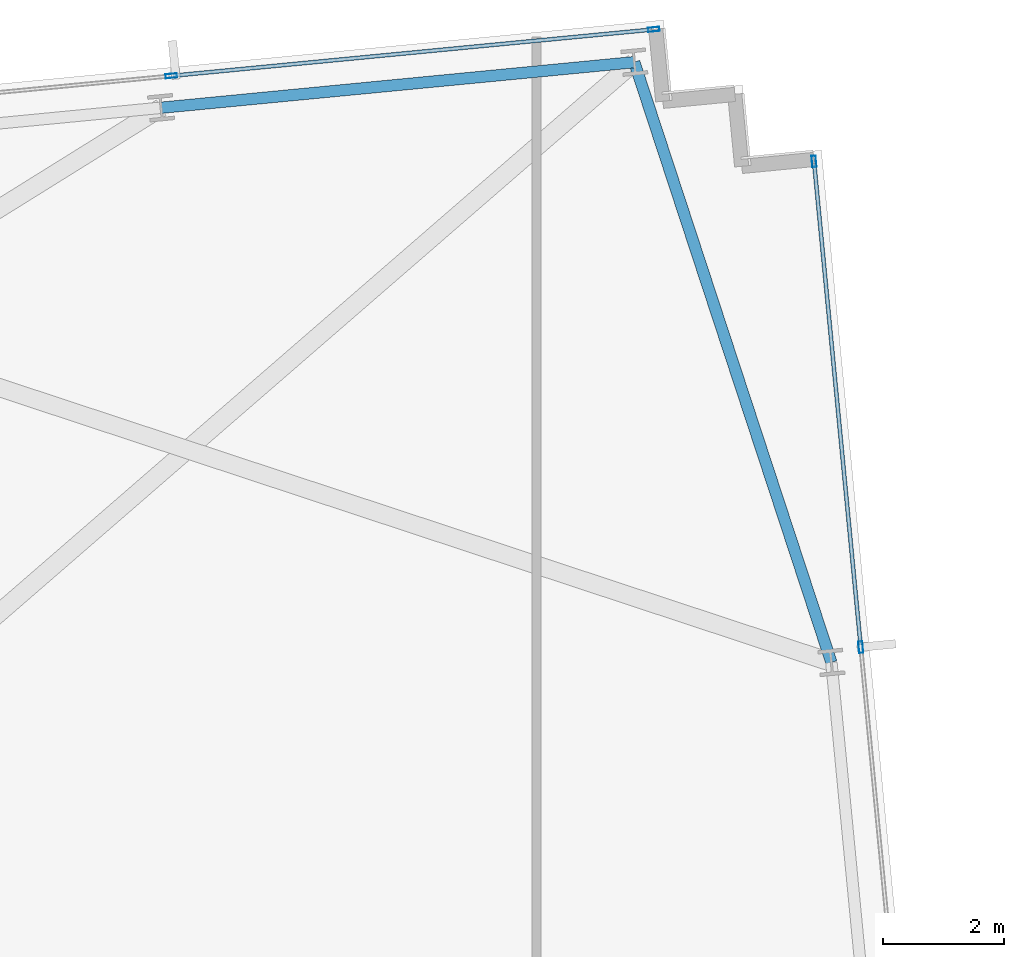
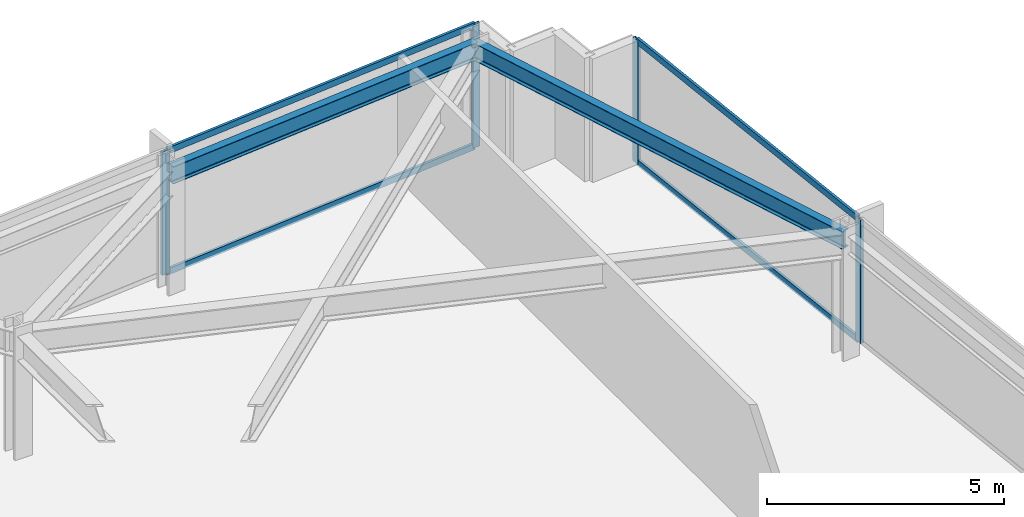
# One storey, part 23 of 33: 8 members, 2 beams, 2 elements without a shape of their own.
"""IFC4 building model written with IfcOpenShell, lengths in metres."""

from ifc_helpers import new_model, si_unit, direction, frame, origin, origin_2d, place, context, subcontext, project, spatial, hollow_rectangle, i_section, extrude, material, material_profile, profile_set, type_object, element, aggregate, save


model = new_model("IFC4")

# Units and contexts
model_context = context("Model", 3, precision=1e-05, world=origin(), true_north=direction((0.0, 1.0)))
body_context = subcontext(model_context, "Body", "Model", "MODEL_VIEW")
ifc_project = project(units=[si_unit("LENGTHUNIT", "METRE"), si_unit("AREAUNIT", "SQUARE_METRE"), si_unit("VOLUMEUNIT", "CUBIC_METRE"), si_unit("PLANEANGLEUNIT", "RADIAN"), si_unit("MASSUNIT", "GRAM", prefix="KILO")], contexts=[model_context])

# Site, building, storey
site_placement = place(None, origin())
site = spatial("IfcSite", under=ifc_project, at=site_placement, CompositionType="ELEMENT")
building_placement = place(site_placement, origin())
building = spatial("IfcBuilding", under=site, at=building_placement, Name="Yelkora Congress Tower", CompositionType="ELEMENT")
storey_placement = place(building_placement, frame((0.0, 0.0, 110.10009765625)))
storey = spatial("IfcBuildingStorey", under=building, at=storey_placement, Name="L29", CompositionType="ELEMENT", Elevation=110.10009765625)

# Beams
ifc_material_1 = material(Name="Steel S355J2", Category="steel")
ifc_material_profile_1 = material_profile(ifc_material_1, i_section(OverallWidth=0.18994140625, OverallDepth=0.449951171875, WebThickness=0.009521484375, FlangeThickness=0.0146484375, FilletRadius=0.02099609375, at=origin_2d()), Name="IPE 450")
ifc_profile_set_1 = profile_set([ifc_material_profile_1], Name="Steel S355J2")
beam_type = type_object("IfcBeamType", Name="BM-SPAN-IPE450", PredefinedType="SPANDREL", material=ifc_profile_set_1)
beam_1_placement = place(storey_placement, frame((74.522216796875, 40.610595703125, 2.954833984375), z_axis=(-0.311961656523, 0.950094692575, 0.0), x_axis=(-0.950094692575, -0.311961656523, 0.0)))
element("IfcBeam", 1, at=beam_1_placement, inside=storey, type_object=beam_type, Name="L29 Perimeter Beam 13", PredefinedType="SPANDREL", context=body_context, shape_type="SweptSolid", body=[
    extrude(i_section(OverallWidth=0.18994140625, OverallDepth=0.449951171875, WebThickness=0.009521484375, FlangeThickness=0.0146484375, FilletRadius=0.02099609375, at=origin_2d()), origin(), (0.0, 0.0, 1.0), 10.48046875),
])
beam_2_placement = place(storey_placement, frame((71.252685546875, 50.568115234375, 2.954833984375), z_axis=(-0.995392621281, -0.095882894719, 0.0), x_axis=(0.095882894719, -0.995392621281, 0.0)))
element("IfcBeam", 2, at=beam_2_placement, inside=storey, type_object=beam_type, Name="L29 Perimeter Beam 14", PredefinedType="SPANDREL", context=body_context, shape_type="SweptSolid", body=[
    extrude(i_section(OverallWidth=0.18994140625, OverallDepth=0.449951171875, WebThickness=0.009521484375, FlangeThickness=0.0146484375, FilletRadius=0.02099609375, at=origin_2d()), origin(), (0.0, 0.0, 1.0), 7.8857421875),
])

# Curtain wall, members
ifc_material_2 = material(Name="Anodised aluminium and insulated glass", Category="aluminium")
curtain_wall_type = type_object("IfcCurtainWallType", Name="CW-SYS-B2", PredefinedType="NOTDEFINED", material=ifc_material_2)
curtain_wall_1_placement = place(storey_placement, origin())
curtain_wall_1 = element("IfcCurtainWall", 3, at=curtain_wall_1_placement, inside=storey, type_object=curtain_wall_type, Name="L29 Unitised Curtain Wall 10 (3)", PredefinedType="NOTDEFINED")
ifc_material_3 = material(Name="Anodised aluminium 6063-T6", Category="aluminium")
ifc_material_profile_2 = material_profile(ifc_material_3, hollow_rectangle(XDim=0.070068359375, YDim=0.18994140625, WallThickness=0.00390625, at=origin_2d()), Name="ALU 70x190x4")
ifc_profile_set_2 = profile_set([ifc_material_profile_2], Name="Anodised aluminium 6063-T6")
member_type_1 = type_object("IfcMemberType", Name="MEM-ML-B2", PredefinedType="MULLION", material=ifc_profile_set_2)
member_1_placement = place(storey_placement, frame((63.572021484375, 50.3408203125, 0.0), z_axis=(0.0, 0.0, 1.0), x_axis=(-0.095844238468, 0.995396344153, 0.0)))
member_1 = element("IfcMember", 4, at=member_1_placement, type_object=member_type_1, Name="CW-B2 mullion 6", PredefinedType="MULLION", context=body_context, shape_type="SweptSolid", body=[
    extrude(hollow_rectangle(XDim=0.070068359375, YDim=0.18994140625, WallThickness=0.00390625, at=origin_2d()), origin(), (0.0, 0.0, 1.0), 3.179931640625),
])
member_2_placement = place(storey_placement, frame((71.5771484375, 51.111572265625, 0.0), z_axis=(0.0, 0.0, 1.0), x_axis=(-0.095844238468, 0.995396344153, 0.0)))
member_2 = element("IfcMember", 5, at=member_2_placement, type_object=member_type_1, Name="CW-B2 mullion 7", PredefinedType="MULLION", context=body_context, shape_type="SweptSolid", body=[
    extrude(hollow_rectangle(XDim=0.070068359375, YDim=0.18994140625, WallThickness=0.00390625, at=origin_2d()), origin(), (0.0, 0.0, 1.0), 3.179931640625),
])

curtain_wall_2_placement = place(storey_placement, origin())
curtain_wall_2 = element("IfcCurtainWall", 6, at=curtain_wall_2_placement, inside=storey, type_object=curtain_wall_type, Name="L29 Unitised Curtain Wall 15", PredefinedType="NOTDEFINED")
member_3_placement = place(storey_placement, frame((74.234375, 48.921142578125, 0.0), z_axis=(0.0, 0.0, 1.0), x_axis=(0.995396507508, 0.095842541913, 0.0)))
member_3 = element("IfcMember", 7, at=member_3_placement, type_object=member_type_1, Name="CW-B2 mullion 1", PredefinedType="MULLION", context=body_context, shape_type="SweptSolid", body=[
    extrude(hollow_rectangle(XDim=0.070068359375, YDim=0.18994140625, WallThickness=0.00390625, at=origin_2d()), origin(), (0.0, 0.0, 1.0), 3.179931640625),
])
member_4_placement = place(storey_placement, frame((75.010009765625, 40.863525390625, 0.0), z_axis=(0.0, 0.0, 1.0), x_axis=(0.995396507508, 0.095842541913, 0.0)))
member_4 = element("IfcMember", 8, at=member_4_placement, type_object=member_type_1, Name="CW-B2 mullion 2", PredefinedType="MULLION", context=body_context, shape_type="SweptSolid", body=[
    extrude(hollow_rectangle(XDim=0.070068359375, YDim=0.18994140625, WallThickness=0.00390625, at=origin_2d()), origin(), (0.0, 0.0, 1.0), 3.179931640625),
])

# Member
ifc_material_profile_3 = material_profile(ifc_material_3, hollow_rectangle(XDim=0.06494140625, YDim=0.159912109375, WallThickness=0.00390625, at=origin_2d()), Name="ALU 65x160x4")
ifc_profile_set_3 = profile_set([ifc_material_profile_3], Name="Anodised aluminium 6063-T6")
member_type_2 = type_object("IfcMemberType", Name="MEM-TR-B2", PredefinedType="USERDEFINED", material=ifc_profile_set_3)
member_5_placement = place(storey_placement, frame((63.606689453125, 50.343994140625, 0.032470703125), z_axis=(0.995395553311, 0.095852451448, 0.0), x_axis=(-0.095852451448, 0.995395553311, 0.0)))
member_5 = element("IfcMember", 9, at=member_5_placement, type_object=member_type_2, Name="CW-B2 transom 6.1", ObjectType="TRANSOM", PredefinedType="USERDEFINED", context=body_context, shape_type="SweptSolid", body=[
    extrude(hollow_rectangle(XDim=0.06494140625, YDim=0.159912109375, WallThickness=0.00390625, at=origin_2d()), origin(), (0.0, 0.0, 1.0), 7.97216796875),
])

member_6_placement = place(storey_placement, frame((63.606689453125, 50.343994140625, 3.1474609375), z_axis=(0.995395553311, 0.095852451448, 0.0), x_axis=(-0.095852451448, 0.995395553311, 0.0)))
member_6 = element("IfcMember", 10, at=member_6_placement, type_object=member_type_2, Name="CW-B2 transom 6.2", ObjectType="TRANSOM", PredefinedType="USERDEFINED", context=body_context, shape_type="SweptSolid", body=[
    extrude(hollow_rectangle(XDim=0.06494140625, YDim=0.159912109375, WallThickness=0.00390625, at=origin_2d()), origin(), (0.0, 0.0, 1.0), 7.97216796875),
])

aggregate(curtain_wall_1, [member_1, member_2, member_5, member_6])

member_7_placement = place(storey_placement, frame((74.237548828125, 48.88623046875, 0.032470703125), z_axis=(0.095861385662, -0.995394692943, 0.0), x_axis=(0.995394692943, 0.095861385662, 0.0)))
member_7 = element("IfcMember", 11, at=member_7_placement, type_object=member_type_2, Name="CW-B2 transom 1.1", ObjectType="TRANSOM", PredefinedType="USERDEFINED", context=body_context, shape_type="SweptSolid", body=[
    extrude(hollow_rectangle(XDim=0.06494140625, YDim=0.159912109375, WallThickness=0.00390625, at=origin_2d()), origin(), (0.0, 0.0, 1.0), 8.02490234375),
])

member_8_placement = place(storey_placement, frame((74.237548828125, 48.88623046875, 3.1474609375), z_axis=(0.095861385662, -0.995394692943, 0.0), x_axis=(0.995394692943, 0.095861385662, 0.0)))
member_8 = element("IfcMember", 12, at=member_8_placement, type_object=member_type_2, Name="CW-B2 transom 1.2", ObjectType="TRANSOM", PredefinedType="USERDEFINED", context=body_context, shape_type="SweptSolid", body=[
    extrude(hollow_rectangle(XDim=0.06494140625, YDim=0.159912109375, WallThickness=0.00390625, at=origin_2d()), origin(), (0.0, 0.0, 1.0), 8.02490234375),
])

aggregate(curtain_wall_2, [member_3, member_4, member_7, member_8])

save(model, "model.ifc")
